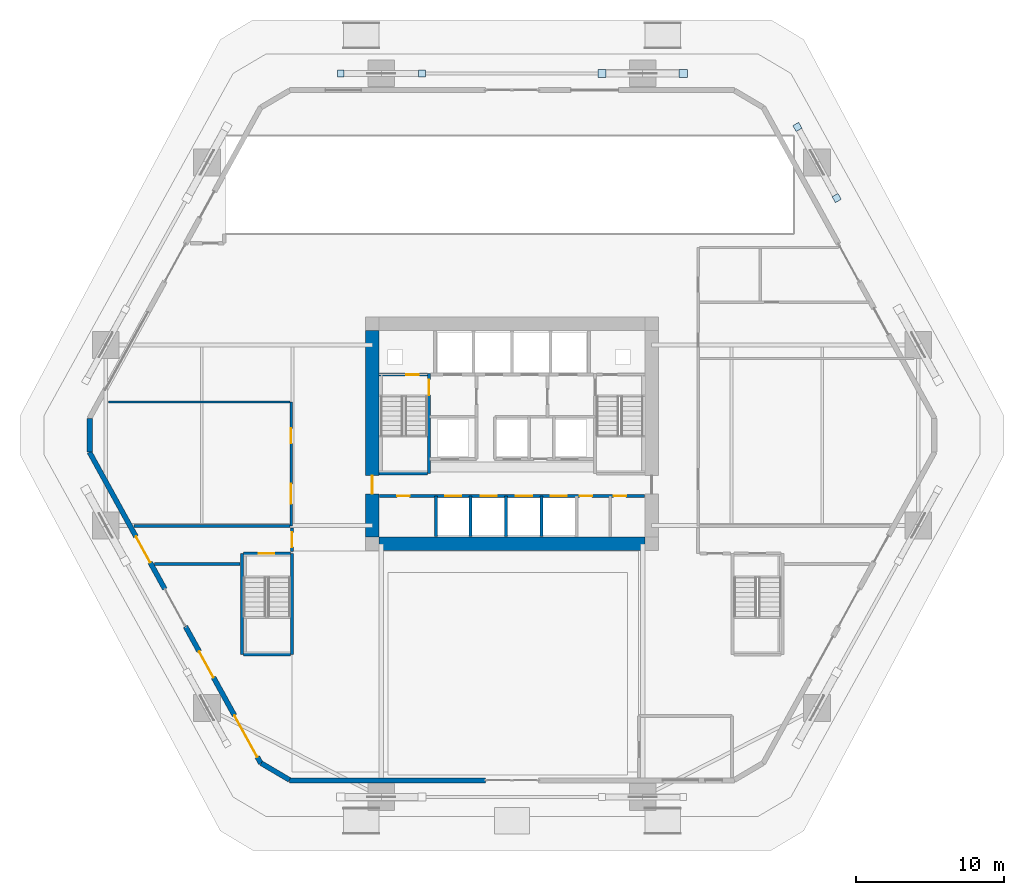
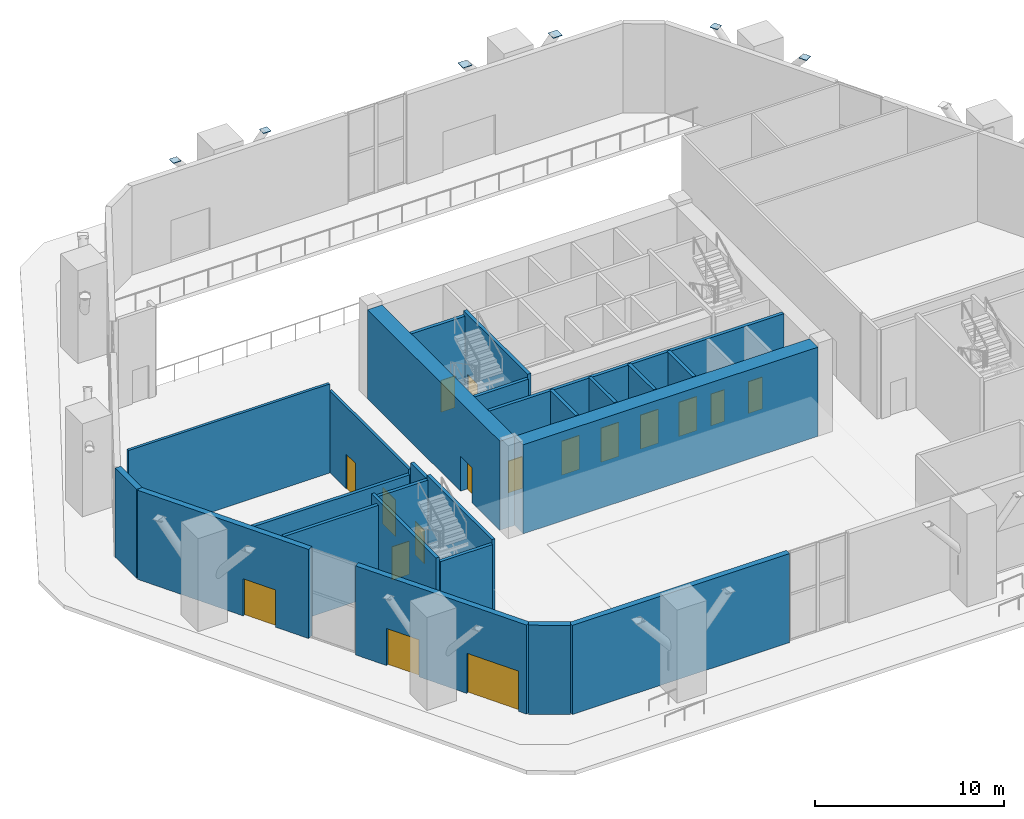
# One storey, part 15 of 22: 24 walls, 17 doors, 6 plates, 17 openings.
"""IFC4 building model written with IfcOpenShell, lengths in metres."""

from ifc_helpers import new_model, si_unit, direction, frame, frame_2d, origin, origin_2d, place, context, subcontext, project, spatial, rectangle, extrude, material, layer, layer_set, type_object, element, fill, save


model = new_model("IFC4")

# Units and contexts
model_context = context("Model", 3, precision=1e-05, world=origin(), true_north=direction((0.0, 1.0)))
body_context = subcontext(model_context, "Body", "Model", "MODEL_VIEW")
ifc_project = project(units=[si_unit("LENGTHUNIT", "METRE"), si_unit("AREAUNIT", "SQUARE_METRE"), si_unit("VOLUMEUNIT", "CUBIC_METRE"), si_unit("PLANEANGLEUNIT", "RADIAN"), si_unit("MASSUNIT", "GRAM", prefix="KILO")], contexts=[model_context])

# Site, building, storey
site_placement = place(None, origin())
site = spatial("IfcSite", under=ifc_project, at=site_placement, CompositionType="ELEMENT")
building_placement = place(site_placement, origin())
building = spatial("IfcBuilding", under=site, at=building_placement, Name="Cinnabar Lancet Tower", CompositionType="ELEMENT")
storey_placement = place(building_placement, origin())
storey = spatial("IfcBuildingStorey", under=building, at=storey_placement, Name="L00", CompositionType="ELEMENT", Elevation=0.0)

# Plates
ifc_material_1 = material(Name="Structural steel S460", Category="steel")
ifc_layer_1 = layer(ifc_material_1, 0.028076171875)
ifc_layer_set_1 = layer_set([ifc_layer_1], Name="Structural steel S460")
plate_type = type_object("IfcPlateType", Name="STR-PL-CAP-28E", PredefinedType="SHEET", material=ifc_layer_set_1)
for number, where, z_axis, x_axis, name in (
    (1, (54.373046875, 41.84912109375, 5.44482421875), (0.0, 0.0, 1.0), (0.483633778292, -0.875270454485, 0.0), "Hollow section end cap plate CP-YPS-06A-1"),
    (2, (51.712890625, 46.6630859375, 5.44482421875), (0.0, 0.0, 1.0), (-0.483633778292, 0.875270454485, 0.0), "Hollow section end cap plate CP-YPS-06B-1"),
):
    element("IfcPlate", number, at=place(storey_placement, frame(where, z_axis=z_axis, x_axis=x_axis)), inside=storey, type_object=plate_type, Name=name, PredefinedType="SHEET", context=body_context, shape_type="SweptSolid", body=[
        extrude(rectangle(XDim=0.4560546875, YDim=0.4560546875, at=origin_2d()), origin(), (0.0, 0.0, 1.0), 0.030029296875),
    ])
for number, where, z_axis, x_axis, name in (
    (3, (43.9951171875, 50.282958984375, 5.44482421875), (0.0, 0.0, 1.0), (1.0, 0.0, 0.0), "Hollow section end cap plate CP-YPS-07A-1"),
    (4, (38.4951171875, 50.282958984375, 5.44482421875), (0.0, 0.0, 1.0), (-1.0, 0.0, 0.0), "Hollow section end cap plate CP-YPS-07B-1"),
):
    element("IfcPlate", number, at=place(storey_placement, frame(where, z_axis=z_axis, x_axis=x_axis)), inside=storey, type_object=plate_type, Name=name, PredefinedType="SHEET", context=body_context, shape_type="SweptSolid", body=[
        extrude(rectangle(XDim=0.55810546875, YDim=0.55810546875, at=origin_2d()), origin(), (0.0, 0.0, 1.0), 0.030029296875),
    ])
for number, where, z_axis, x_axis, name in (
    (5, (26.304931640625, 50.282958984375, 5.44482421875), (0.0, 0.0, 1.0), (1.0, 0.0, 0.0), "Hollow section end cap plate CP-YPS-08A-1"),
    (6, (20.804931640625, 50.282958984375, 5.44482421875), (0.0, 0.0, 1.0), (-1.0, 0.0, 0.0), "Hollow section end cap plate CP-YPS-08B-1"),
):
    element("IfcPlate", number, at=place(storey_placement, frame(where, z_axis=z_axis, x_axis=x_axis)), inside=storey, type_object=plate_type, Name=name, PredefinedType="SHEET", context=body_context, shape_type="SweptSolid", body=[
        extrude(rectangle(XDim=0.4560546875, YDim=0.4560546875, at=origin_2d()), origin(), (0.0, 0.0, 1.0), 0.030029296875),
    ])

# Wall, openings, doors
ifc_material_2 = material(Name="Acoustic twin-stud gypsum partition", Category="gypsum")
ifc_layer_2 = layer(ifc_material_2, 0.159912109375)
ifc_layer_set_2 = layer_set([ifc_layer_2], Name="Acoustic twin-stud gypsum partition")
wall_type_1 = type_object("IfcWallType", Name="ARC-WL-CORR-160", PredefinedType="PARTITIONING", material=ifc_layer_set_2)
wall_1_placement = place(storey_placement, frame((17.449951171875, 19.64990234375, 0.0), z_axis=(0.0, 0.0, 1.0), x_axis=(0.0, 1.0, 0.0)))
wall_1 = element("IfcWall", 7, at=wall_1_placement, inside=storey, type_object=wall_type_1, Name="PW-L00-CAFE", PredefinedType="PARTITIONING", context=body_context, shape_type="SweptSolid", body=[
    extrude(rectangle(XDim=8.400146484375, YDim=0.159912109375, at=frame_2d((4.2001953125, 0.0))), origin(), (0.0, 0.0, 1.0), 5.282958984375),
])
opening_1_placement = place(wall_1_placement, frame((1.5, 0.0, 0.0)))
opening_1 = element("IfcOpeningElement", 8, at=opening_1_placement, cuts=wall_1, Name="Opening UD-02", PredefinedType="OPENING", context=body_context, shape_type="SweptSolid", body=[
    extrude(rectangle(XDim=1.35009765625, YDim=2.35009765625, at=frame_2d((0.675048828125, 1.175048828125))), frame((0.0, 0.08984375, 0.0), z_axis=(0.0, -1.0, 0.0), x_axis=(1.0, 0.0, 0.0)), (0.0, 0.0, 1.0), 0.179931640625),
])
opening_2_placement = place(wall_1_placement, frame((5.60009765625, 0.0, 0.0)))
opening_2 = element("IfcOpeningElement", 9, at=opening_2_placement, cuts=wall_1, Name="Opening UD-01", PredefinedType="OPENING", context=body_context, shape_type="SweptSolid", body=[
    extrude(rectangle(XDim=1.02001953125, YDim=2.25, at=frame_2d((0.510009765625, 1.125))), frame((0.0, 0.08984375, 0.0), z_axis=(0.0, -1.0, 0.0), x_axis=(1.0, 0.0, 0.0)), (0.0, 0.0, 1.0), 0.179931640625),
])
ifc_material_3 = material(Name="Solid timber fire-rated apartment entrance door", Category="wood")
door_type_1 = type_object("IfcDoorType", Name="ARC-DR-UNIT", OperationType="NOTDEFINED", PredefinedType="DOOR", material=ifc_material_3)
door_1_placement = place(opening_2_placement, origin())
door_1 = element("IfcDoor", 10, at=door_1_placement, inside=storey, type_object=door_type_1, Name="DR-L00-CAFE2", OperationType="SINGLE_SWING_RIGHT", OverallHeight=2.25, OverallWidth=1.02001953125, PredefinedType="DOOR", context=body_context, shape_type="SweptSolid", body=[
    extrude(rectangle(XDim=1.02001953125, YDim=2.25, at=frame_2d((0.510009765625, 1.125))), frame((0.0, 0.02490234375, 0.0), z_axis=(0.0, -1.0, 0.0), x_axis=(1.0, 0.0, 0.0)), (0.0, 0.0, 1.0), 0.050048828125),
])
fill(opening_2, door_1)
ifc_material_4 = material(Name="Double-leaf solid timber penthouse entrance door", Category="wood")
door_type_2 = type_object("IfcDoorType", Name="ARC-DR-UNIT-PH", OperationType="NOTDEFINED", PredefinedType="DOOR", material=ifc_material_4)
door_2_placement = place(opening_1_placement, origin())
door_2 = element("IfcDoor", 11, at=door_2_placement, inside=storey, type_object=door_type_2, Name="DR-L00-CAFE1", OperationType="SINGLE_SWING_LEFT", OverallHeight=2.35009765625, OverallWidth=1.35009765625, PredefinedType="DOOR", context=body_context, shape_type="SweptSolid", body=[
    extrude(rectangle(XDim=1.35009765625, YDim=2.35009765625, at=frame_2d((0.675048828125, 1.175048828125))), frame((0.0, 0.02490234375, 0.0), z_axis=(0.0, -1.0, 0.0), x_axis=(1.0, 0.0, 0.0)), (0.0, 0.0, 1.0), 0.050048828125),
])
fill(opening_1, door_2)

# Walls
wall_2_placement = place(storey_placement, frame((5.0849609375, 28.050048828125, 0.0), z_axis=(0.0, 0.0, 1.0), x_axis=(1.0, 0.0, 0.0)))
element("IfcWall", 12, at=wall_2_placement, inside=storey, type_object=wall_type_1, Name="PW-L00-CAFN", PredefinedType="PARTITIONING", context=body_context, shape_type="SweptSolid", body=[
    extrude(rectangle(XDim=12.280029296875, YDim=0.159912109375, at=frame_2d((6.14013671875, 0.0))), origin(), (0.0, 0.0, 1.0), 5.75),
])
ifc_material_5 = material(Name="Autoclaved aerated concrete blockwork", Category="masonry")
ifc_layer_3 = layer(ifc_material_5, 0.199951171875)
ifc_layer_set_3 = layer_set([ifc_layer_3], Name="Autoclaved aerated concrete blockwork")
wall_type_2 = type_object("IfcWallType", Name="ARC-WL-SHAFT-200", PredefinedType="PLUMBINGWALL", material=ifc_layer_set_3)
wall_3_placement = place(storey_placement, frame((23.405029296875, 23.199951171875, 0.0), z_axis=(0.0, 0.0, 1.0), x_axis=(1.0, 0.0, 0.0)))
element("IfcWall", 13, at=wall_3_placement, inside=storey, type_object=wall_type_2, Name="CW-ST1S-L00", PredefinedType="PLUMBINGWALL", context=body_context, shape_type="SweptSolid", body=[
    extrude(rectangle(XDim=3.27001953125, YDim=0.199951171875, at=frame_2d((1.635009765625, 0.0))), origin(), (0.0, 0.0, 1.0), 5.75),
])

# Wall, opening, door
wall_4_placement = place(storey_placement, frame((23.405029296875, 29.89990234375, 0.0), z_axis=(0.0, 0.0, 1.0), x_axis=(1.0, 0.0, 0.0)))
wall_4 = element("IfcWall", 14, at=wall_4_placement, inside=storey, type_object=wall_type_2, Name="CW-NSH-W-L00", PredefinedType="PLUMBINGWALL", context=body_context, shape_type="SweptSolid", body=[
    extrude(rectangle(XDim=3.27001953125, YDim=0.199951171875, at=frame_2d((1.635009765625, 0.0))), origin(), (0.0, 0.0, 1.0), 5.75),
])
opening_3_placement = place(wall_4_placement, frame((1.85009765625, 0.0, 0.0)))
opening_3 = element("IfcOpeningElement", 15, at=opening_3_placement, cuts=wall_4, Name="Opening PD-02", PredefinedType="OPENING", context=body_context, shape_type="SweptSolid", body=[
    extrude(rectangle(XDim=0.85009765625, YDim=2.050048828125, at=frame_2d((0.425048828125, 1.02490234375))), frame((0.0, 0.10986328125, 0.0), z_axis=(0.0, -1.0, 0.0), x_axis=(1.0, 0.0, 0.0)), (0.0, 0.0, 1.0), 0.219970703125),
])
ifc_material_6 = material(Name="Fire-rated steel riser access door", Category="steel")
door_type_3 = type_object("IfcDoorType", Name="ARC-DR-RISER", OperationType="NOTDEFINED", PredefinedType="DOOR", material=ifc_material_6)
door_3_placement = place(opening_3_placement, origin())
door_3 = element("IfcDoor", 16, at=door_3_placement, inside=storey, type_object=door_type_3, Name="L00 West Riser Access Door", OperationType="SINGLE_SWING_LEFT", OverallHeight=2.050048828125, OverallWidth=0.85009765625, PredefinedType="DOOR", context=body_context, shape_type="SweptSolid", body=[
    extrude(rectangle(XDim=0.85009765625, YDim=2.050048828125, at=frame_2d((0.425048828125, 1.02490234375))), frame((0.0, 0.02490234375, 0.0), z_axis=(0.0, -1.0, 0.0), x_axis=(1.0, 0.0, 0.0)), (0.0, 0.0, 1.0), 0.050048828125),
])
fill(opening_3, door_3)

# Wall, openings, doors
wall_5_placement = place(storey_placement, frame((23.419921875, 21.679931640625, 0.0), z_axis=(0.0, 0.0, 1.0), x_axis=(1.0, 0.0, 0.0)))
wall_5 = element("IfcWall", 17, at=wall_5_placement, inside=storey, type_object=wall_type_2, Name="CW-SBANDN-L00", PredefinedType="PLUMBINGWALL", context=body_context, shape_type="SweptSolid", body=[
    extrude(rectangle(XDim=17.9599609375, YDim=0.199951171875, at=frame_2d((8.97998046875, 0.0))), origin(), (0.0, 0.0, 1.0), 5.75),
])
opening_4_placement = place(wall_5_placement, frame((4.449951171875, 0.0, 0.0)))
opening_4 = element("IfcOpeningElement", 18, at=opening_4_placement, cuts=wall_5, Name="Opening LD-01", PredefinedType="OPENING", context=body_context, shape_type="SweptSolid", body=[
    extrude(rectangle(XDim=1.10009765625, YDim=2.199951171875, at=frame_2d((0.550048828125, 1.10009765625))), frame((0.0, 0.10986328125, 0.0), z_axis=(0.0, -1.0, 0.0), x_axis=(1.0, 0.0, 0.0)), (0.0, 0.0, 1.0), 0.219970703125),
])
opening_5_placement = place(wall_5_placement, frame((6.85009765625, 0.0, 0.0)))
opening_5 = element("IfcOpeningElement", 19, at=opening_5_placement, cuts=wall_5, Name="Opening LD-01", PredefinedType="OPENING", context=body_context, shape_type="SweptSolid", body=[
    extrude(rectangle(XDim=1.10009765625, YDim=2.199951171875, at=frame_2d((0.550048828125, 1.10009765625))), frame((0.0, 0.10986328125, 0.0), z_axis=(0.0, -1.0, 0.0), x_axis=(1.0, 0.0, 0.0)), (0.0, 0.0, 1.0), 0.219970703125),
])
opening_6_placement = place(wall_5_placement, frame((9.25, 0.0, 0.0)))
opening_6 = element("IfcOpeningElement", 20, at=opening_6_placement, cuts=wall_5, Name="Opening LD-01", PredefinedType="OPENING", context=body_context, shape_type="SweptSolid", body=[
    extrude(rectangle(XDim=1.10009765625, YDim=2.199951171875, at=frame_2d((0.550048828125, 1.10009765625))), frame((0.0, 0.10986328125, 0.0), z_axis=(0.0, -1.0, 0.0), x_axis=(1.0, 0.0, 0.0)), (0.0, 0.0, 1.0), 0.219970703125),
])
opening_7_placement = place(wall_5_placement, frame((11.60009765625, 0.0, 0.0)))
opening_7 = element("IfcOpeningElement", 21, at=opening_7_placement, cuts=wall_5, Name="Opening LD-01", PredefinedType="OPENING", context=body_context, shape_type="SweptSolid", body=[
    extrude(rectangle(XDim=1.10009765625, YDim=2.199951171875, at=frame_2d((0.550048828125, 1.10009765625))), frame((0.0, 0.10986328125, 0.0), z_axis=(0.0, -1.0, 0.0), x_axis=(1.0, 0.0, 0.0)), (0.0, 0.0, 1.0), 0.219970703125),
])
opening_8_placement = place(wall_5_placement, frame((1.199951171875, 0.0, 0.0)))
opening_8 = element("IfcOpeningElement", 22, at=opening_8_placement, cuts=wall_5, Name="Opening PD-02", PredefinedType="OPENING", context=body_context, shape_type="SweptSolid", body=[
    extrude(rectangle(XDim=0.85009765625, YDim=2.050048828125, at=frame_2d((0.425048828125, 1.02490234375))), frame((0.0, 0.10986328125, 0.0), z_axis=(0.0, -1.0, 0.0), x_axis=(1.0, 0.0, 0.0)), (0.0, 0.0, 1.0), 0.219970703125),
])
opening_9_placement = place(wall_5_placement, frame((13.550048828125, 0.0, 0.0)))
opening_9 = element("IfcOpeningElement", 23, at=opening_9_placement, cuts=wall_5, Name="Opening PD-02", PredefinedType="OPENING", context=body_context, shape_type="SweptSolid", body=[
    extrude(rectangle(XDim=0.85009765625, YDim=2.050048828125, at=frame_2d((0.425048828125, 1.02490234375))), frame((0.0, 0.10986328125, 0.0), z_axis=(0.0, -1.0, 0.0), x_axis=(1.0, 0.0, 0.0)), (0.0, 0.0, 1.0), 0.219970703125),
])
opening_10_placement = place(wall_5_placement, frame((15.85009765625, 0.0, 0.0)))
opening_10 = element("IfcOpeningElement", 24, at=opening_10_placement, cuts=wall_5, Name="Opening PD-02", PredefinedType="OPENING", context=body_context, shape_type="SweptSolid", body=[
    extrude(rectangle(XDim=0.85009765625, YDim=2.050048828125, at=frame_2d((0.425048828125, 1.02490234375))), frame((0.0, 0.10986328125, 0.0), z_axis=(0.0, -1.0, 0.0), x_axis=(1.0, 0.0, 0.0)), (0.0, 0.0, 1.0), 0.219970703125),
])
ifc_material_7 = material(Name="Brushed stainless steel sliding lift door", Category="steel")
door_type_4 = type_object("IfcDoorType", Name="ARC-DR-LD-PASS", OperationType="NOTDEFINED", PredefinedType="DOOR", material=ifc_material_7)
door_4_placement = place(opening_4_placement, origin())
door_4 = element("IfcDoor", 25, at=door_4_placement, inside=storey, type_object=door_type_4, Name="L00 Lift PL-1 Landing Door", OperationType="DOUBLE_DOOR_SLIDING", OverallHeight=2.199951171875, OverallWidth=1.10009765625, PredefinedType="DOOR", context=body_context, shape_type="SweptSolid", body=[
    extrude(rectangle(XDim=1.10009765625, YDim=2.199951171875, at=frame_2d((0.550048828125, 1.10009765625))), frame((0.0, 0.02490234375, 0.0), z_axis=(0.0, -1.0, 0.0), x_axis=(1.0, 0.0, 0.0)), (0.0, 0.0, 1.0), 0.050048828125),
])
fill(opening_4, door_4)
door_5_placement = place(opening_5_placement, origin())
door_5 = element("IfcDoor", 26, at=door_5_placement, inside=storey, type_object=door_type_4, Name="L00 Lift PL-2 Landing Door", OperationType="DOUBLE_DOOR_SLIDING", OverallHeight=2.199951171875, OverallWidth=1.10009765625, PredefinedType="DOOR", context=body_context, shape_type="SweptSolid", body=[
    extrude(rectangle(XDim=1.10009765625, YDim=2.199951171875, at=frame_2d((0.550048828125, 1.10009765625))), frame((0.0, 0.02490234375, 0.0), z_axis=(0.0, -1.0, 0.0), x_axis=(1.0, 0.0, 0.0)), (0.0, 0.0, 1.0), 0.050048828125),
])
fill(opening_5, door_5)
door_6_placement = place(opening_6_placement, origin())
door_6 = element("IfcDoor", 27, at=door_6_placement, inside=storey, type_object=door_type_4, Name="L00 Lift PL-3 Landing Door", OperationType="DOUBLE_DOOR_SLIDING", OverallHeight=2.199951171875, OverallWidth=1.10009765625, PredefinedType="DOOR", context=body_context, shape_type="SweptSolid", body=[
    extrude(rectangle(XDim=1.10009765625, YDim=2.199951171875, at=frame_2d((0.550048828125, 1.10009765625))), frame((0.0, 0.02490234375, 0.0), z_axis=(0.0, -1.0, 0.0), x_axis=(1.0, 0.0, 0.0)), (0.0, 0.0, 1.0), 0.050048828125),
])
fill(opening_6, door_6)
door_7_placement = place(opening_7_placement, origin())
door_7 = element("IfcDoor", 28, at=door_7_placement, inside=storey, type_object=door_type_4, Name="L00 Lift PL-4 Landing Door", OperationType="DOUBLE_DOOR_SLIDING", OverallHeight=2.199951171875, OverallWidth=1.10009765625, PredefinedType="DOOR", context=body_context, shape_type="SweptSolid", body=[
    extrude(rectangle(XDim=1.10009765625, YDim=2.199951171875, at=frame_2d((0.550048828125, 1.10009765625))), frame((0.0, 0.02490234375, 0.0), z_axis=(0.0, -1.0, 0.0), x_axis=(1.0, 0.0, 0.0)), (0.0, 0.0, 1.0), 0.050048828125),
])
fill(opening_7, door_7)
door_8_placement = place(opening_8_placement, origin())
door_8 = element("IfcDoor", 29, at=door_8_placement, inside=storey, type_object=door_type_3, Name="DR-L00-SW1", OperationType="SINGLE_SWING_LEFT", OverallHeight=2.050048828125, OverallWidth=0.85009765625, PredefinedType="DOOR", context=body_context, shape_type="SweptSolid", body=[
    extrude(rectangle(XDim=0.85009765625, YDim=2.050048828125, at=frame_2d((0.425048828125, 1.02490234375))), frame((0.0, 0.02490234375, 0.0), z_axis=(0.0, -1.0, 0.0), x_axis=(1.0, 0.0, 0.0)), (0.0, 0.0, 1.0), 0.050048828125),
])
fill(opening_8, door_8)
door_9_placement = place(opening_9_placement, origin())
door_9 = element("IfcDoor", 30, at=door_9_placement, inside=storey, type_object=door_type_3, Name="DR-L00-SE1", OperationType="SINGLE_SWING_LEFT", OverallHeight=2.050048828125, OverallWidth=0.85009765625, PredefinedType="DOOR", context=body_context, shape_type="SweptSolid", body=[
    extrude(rectangle(XDim=0.85009765625, YDim=2.050048828125, at=frame_2d((0.425048828125, 1.02490234375))), frame((0.0, 0.02490234375, 0.0), z_axis=(0.0, -1.0, 0.0), x_axis=(1.0, 0.0, 0.0)), (0.0, 0.0, 1.0), 0.050048828125),
])
fill(opening_9, door_9)
door_10_placement = place(opening_10_placement, origin())
door_10 = element("IfcDoor", 31, at=door_10_placement, inside=storey, type_object=door_type_3, Name="DR-L00-SE2", OperationType="SINGLE_SWING_RIGHT", OverallHeight=2.050048828125, OverallWidth=0.85009765625, PredefinedType="DOOR", context=body_context, shape_type="SweptSolid", body=[
    extrude(rectangle(XDim=0.85009765625, YDim=2.050048828125, at=frame_2d((0.425048828125, 1.02490234375))), frame((0.0, 0.02490234375, 0.0), z_axis=(0.0, -1.0, 0.0), x_axis=(1.0, 0.0, 0.0)), (0.0, 0.0, 1.0), 0.050048828125),
])
fill(opening_10, door_10)

# Walls
for number, where, z_axis, x_axis, name in (
    (32, (27.25, 18.949951171875, 0.0), (0.0, 0.0, 1.0), (0.0, 1.0, 0.0), "CW-SB-2725-L00"),
    (33, (29.60009765625, 18.949951171875, 0.0), (0.0, 0.0, 1.0), (0.0, 1.0, 0.0), "CW-SB-2960-L00"),
    (34, (32.0, 18.949951171875, 0.0), (0.0, 0.0, 1.0), (0.0, 1.0, 0.0), "CW-SB-3200-L00"),
    (35, (34.39990234375, 18.949951171875, 0.0), (0.0, 0.0, 1.0), (0.0, 1.0, 0.0), "CW-SB-3440-L00"),
):
    element("IfcWall", number, at=place(storey_placement, frame(where, z_axis=z_axis, x_axis=x_axis)), inside=storey, type_object=wall_type_2, Name=name, PredefinedType="PLUMBINGWALL", context=body_context, shape_type="SweptSolid", body=[
        extrude(rectangle(XDim=2.72998046875, YDim=0.199951171875, at=frame_2d((1.364990234375, 0.0))), origin(), (0.0, 0.0, 1.0), 5.75),
    ])
wall_6_placement = place(storey_placement, frame((14.22509765625, 10.949951171875, 0.0), z_axis=(0.0, 0.0, 1.0), x_axis=(1.0, 0.0, 0.0)))
element("IfcWall", 36, at=wall_6_placement, inside=storey, type_object=wall_type_2, Name="PW-ST3S-L00", PredefinedType="PLUMBINGWALL", context=body_context, shape_type="SweptSolid", body=[
    extrude(rectangle(XDim=3.18994140625, YDim=0.199951171875, at=frame_2d((1.594970703125, 0.0))), origin(), (0.0, 0.0, 1.0), 5.75),
])

# Wall, opening, door
wall_7_placement = place(storey_placement, frame((14.22509765625, 17.800048828125, 0.0), z_axis=(0.0, 0.0, 1.0), x_axis=(1.0, 0.0, 0.0)))
wall_7 = element("IfcWall", 37, at=wall_7_placement, inside=storey, type_object=wall_type_2, Name="PW-ST3N-L00", PredefinedType="PLUMBINGWALL", context=body_context, shape_type="SweptSolid", body=[
    extrude(rectangle(XDim=3.18994140625, YDim=0.199951171875, at=frame_2d((1.594970703125, 0.0))), origin(), (0.0, 0.0, 1.0), 5.75),
])
opening_11_placement = place(wall_7_placement, frame((1.050048828125, 0.0, 0.0)))
opening_11 = element("IfcOpeningElement", 38, at=opening_11_placement, cuts=wall_7, Name="Opening SD-01", PredefinedType="OPENING", context=body_context, shape_type="SweptSolid", body=[
    extrude(rectangle(XDim=1.050048828125, YDim=2.14990234375, at=frame_2d((0.52490234375, 1.074951171875))), frame((0.0, 0.10986328125, 0.0), z_axis=(0.0, -1.0, 0.0), x_axis=(1.0, 0.0, 0.0)), (0.0, 0.0, 1.0), 0.219970703125),
])
ifc_material_8 = material(Name="Fire-rated steel stair exit door", Category="steel")
door_type_5 = type_object("IfcDoorType", Name="ARC-DR-STAIR", OperationType="NOTDEFINED", PredefinedType="DOOR", material=ifc_material_8)
door_11_placement = place(opening_11_placement, origin())
door_11 = element("IfcDoor", 39, at=door_11_placement, inside=storey, type_object=door_type_5, Name="L00 Podium Stair ST-3 Fire Door", OperationType="SINGLE_SWING_LEFT", OverallHeight=2.14990234375, OverallWidth=1.050048828125, PredefinedType="DOOR", context=body_context, shape_type="SweptSolid", body=[
    extrude(rectangle(XDim=1.050048828125, YDim=2.14990234375, at=frame_2d((0.52490234375, 1.074951171875))), frame((0.0, 0.02490234375, 0.0), z_axis=(0.0, -1.0, 0.0), x_axis=(1.0, 0.0, 0.0)), (0.0, 0.0, 1.0), 0.050048828125),
])
fill(opening_11, door_11)

# Walls
wall_8_placement = place(storey_placement, frame((6.820068359375, 19.64990234375, 0.0), z_axis=(0.0, 0.0, 1.0), x_axis=(1.0, 0.0, 0.0)))
element("IfcWall", 40, at=wall_8_placement, inside=storey, type_object=wall_type_2, Name="PW-L00-CAFS", PredefinedType="PLUMBINGWALL", context=body_context, shape_type="SweptSolid", body=[
    extrude(rectangle(XDim=10.544921875, YDim=0.199951171875, at=frame_2d((5.2724609375, 0.0))), origin(), (0.0, 0.0, 1.0), 4.97802734375),
])
wall_9_placement = place(storey_placement, frame((8.219970703125, 17.10009765625, 0.0), z_axis=(0.0, 0.0, 1.0), x_axis=(1.0, 0.0, 0.0)))
element("IfcWall", 41, at=wall_9_placement, inside=storey, type_object=wall_type_2, Name="PW-L00-EX3S", PredefinedType="PLUMBINGWALL", context=body_context, shape_type="SweptSolid", body=[
    extrude(rectangle(XDim=5.780029296875, YDim=0.199951171875, at=frame_2d((2.89013671875, 0.0))), origin(), (0.0, 0.0, 1.0), 5.75),
])

# Wall, opening, door
wall_10_placement = place(storey_placement, frame((17.52001953125, 17.919921875, 0.0), z_axis=(0.0, 0.0, 1.0), x_axis=(0.0, 1.0, 0.0)))
wall_10 = element("IfcWall", 42, at=wall_10_placement, inside=storey, type_object=wall_type_2, Name="PW-L00-EX3E", PredefinedType="PLUMBINGWALL", context=body_context, shape_type="SweptSolid", body=[
    extrude(rectangle(XDim=1.610107421875, YDim=0.199951171875, at=frame_2d((0.80517578125, 0.0))), origin(), (0.0, 0.0, 1.0), 5.75),
])
opening_12_placement = place(wall_10_placement, frame((0.300048828125, 0.0, 0.0)))
opening_12 = element("IfcOpeningElement", 43, at=opening_12_placement, cuts=wall_10, Name="Opening FD-01", PredefinedType="OPENING", context=body_context, shape_type="SweptSolid", body=[
    extrude(rectangle(XDim=1.0, YDim=2.14990234375, at=frame_2d((0.5, 1.074951171875))), frame((0.0, 0.10986328125, 0.0), z_axis=(0.0, -1.0, 0.0), x_axis=(1.0, 0.0, 0.0)), (0.0, 0.0, 1.0), 0.219970703125),
])
ifc_material_9 = material(Name="Fire-rated timber-core lobby door", Category="wood")
door_type_6 = type_object("IfcDoorType", Name="ARC-DR-FFAL", OperationType="NOTDEFINED", PredefinedType="DOOR", material=ifc_material_9)
door_12_placement = place(opening_12_placement, origin())
door_12 = element("IfcDoor", 44, at=door_12_placement, inside=storey, type_object=door_type_6, Name="L00 ST-3 Protected Exit Corridor Fire Door", OperationType="SINGLE_SWING_LEFT", OverallHeight=2.14990234375, OverallWidth=1.0, PredefinedType="DOOR", context=body_context, shape_type="SweptSolid", body=[
    extrude(rectangle(XDim=1.0, YDim=2.14990234375, at=frame_2d((0.5, 1.074951171875))), frame((0.0, 0.02490234375, 0.0), z_axis=(0.0, -1.0, 0.0), x_axis=(1.0, 0.0, 0.0)), (0.0, 0.0, 1.0), 0.050048828125),
])
fill(opening_12, door_12)

# Walls
ifc_material_10 = material(Name="Cinnabar red clay brick", Category="masonry")
ifc_layer_4 = layer(ifc_material_10, 0.340087890625)
ifc_layer_set_4 = layer_set([ifc_layer_4], Name="Cinnabar red clay brick")
wall_type_3 = type_object("IfcWallType", Name="ENV-WL-BRK-RED-340", PredefinedType="STANDARD", material=ifc_layer_set_4)
wall_11_placement = place(storey_placement, frame((17.342041015625, 2.47509765625, 0.0), z_axis=(0.0, 0.0, 1.0), x_axis=(-0.860917796935, 0.508744087848, 0.0)))
element("IfcWall", 45, at=wall_11_placement, inside=storey, type_object=wall_type_3, Name="L00 Chamfered Corner Brick Pier 1.1", PredefinedType="STANDARD", context=body_context, shape_type="SweptSolid", body=[
    extrude(rectangle(XDim=2.2265625, YDim=0.340087890625, at=frame_2d((1.11328125, 0.0))), origin(), (0.0, 0.0, 1.0), 5.75),
])
wall_12_placement = place(storey_placement, frame((3.825927734375, 24.6650390625, 0.0), z_axis=(0.0, 0.0, 1.0), x_axis=(0.0, 1.0, 0.0)))
element("IfcWall", 46, at=wall_12_placement, inside=storey, type_object=wall_type_3, Name="L00 Chamfered Corner Brick Pier 6.1", PredefinedType="STANDARD", context=body_context, shape_type="SweptSolid", body=[
    extrude(rectangle(XDim=2.27001953125, YDim=0.340087890625, at=frame_2d((1.135009765625, 0.0))), origin(), (0.0, 0.0, 1.0), 5.75),
])
wall_13_placement = place(storey_placement, frame((30.593017578125, 2.449951171875, 0.0), z_axis=(0.0, 0.0, 1.0), x_axis=(-1.0, 0.0, 0.0)))
element("IfcWall", 47, at=wall_13_placement, inside=storey, type_object=wall_type_3, Name="L00 Face 1 Right Brick Wall", PredefinedType="STANDARD", context=body_context, shape_type="SweptSolid", body=[
    extrude(rectangle(XDim=13.255126953125, YDim=0.340087890625, at=frame_2d((6.62744140625, 0.0))), origin(), (0.0, 0.0, 1.0), 5.75),
])

# Wall, openings, doors
wall_14_placement = place(storey_placement, frame((15.405029296875, 3.592041015625, 0.0), z_axis=(0.0, 0.0, 1.0), x_axis=(-0.482427040838, 0.875936156502, 0.0)))
wall_14 = element("IfcWall", 48, at=wall_14_placement, inside=storey, type_object=wall_type_3, Name="L00 Face 6 Left Brick Wall", PredefinedType="STANDARD", context=body_context, shape_type="SweptSolid", body=[
    extrude(rectangle(XDim=10.581787109375, YDim=0.340087890625, at=frame_2d((5.291015625, 0.0))), origin(), (0.0, 0.0, 1.0), 5.75),
])
opening_13_placement = place(wall_14_placement, frame((6.64990234375, 0.0, 0.0)))
opening_13 = element("IfcOpeningElement", 49, at=opening_13_placement, cuts=wall_14, Name="Opening ED-01", PredefinedType="OPENING", context=body_context, shape_type="SweptSolid", body=[
    extrude(rectangle(XDim=2.0, YDim=2.39990234375, at=frame_2d((1.0, 1.199951171875))), frame((0.0, 0.179931640625, 0.0), z_axis=(0.0, -1.0, 0.0), x_axis=(1.0, 0.0, 0.0)), (0.0, 0.0, 1.0), 0.360107421875),
])
opening_14_placement = place(wall_14_placement, frame((0.5, 0.0, 0.0)))
opening_14 = element("IfcOpeningElement", 50, at=opening_14_placement, cuts=wall_14, Name="Opening SG-02", PredefinedType="OPENING", context=body_context, shape_type="SweptSolid", body=[
    extrude(rectangle(XDim=3.199951171875, YDim=2.60009765625, at=frame_2d((1.60009765625, 1.300048828125))), frame((0.0, 0.179931640625, 0.0), z_axis=(0.0, -1.0, 0.0), x_axis=(1.0, 0.0, 0.0)), (0.0, 0.0, 1.0), 0.360107421875),
])
ifc_material_11 = material(Name="Outward-swinging thermally broken aluminium final exit double door", Category="aluminium")
door_type_7 = type_object("IfcDoorType", Name="ARC-DR-EXIT-EXT", OperationType="NOTDEFINED", PredefinedType="DOOR", material=ifc_material_11)
door_13_placement = place(opening_13_placement, origin())
door_13 = element("IfcDoor", 51, at=door_13_placement, inside=storey, type_object=door_type_7, Name="L00 Face 6 Outward Final Exit Door", OperationType="DOUBLE_DOOR_SINGLE_SWING", OverallHeight=2.39990234375, OverallWidth=2.0, PredefinedType="DOOR", context=body_context, shape_type="SweptSolid", body=[
    extrude(rectangle(XDim=2.0, YDim=2.39990234375, at=frame_2d((1.0, 1.199951171875))), frame((0.0, 0.02490234375, 0.0), z_axis=(0.0, -1.0, 0.0), x_axis=(1.0, 0.0, 0.0)), (0.0, 0.0, 1.0), 0.050048828125),
])
fill(opening_13, door_13)
ifc_material_12 = material(Name="Galvanized steel loading and plant service gate", Category="steel")
door_type_8 = type_object("IfcDoorType", Name="ARC-DR-SRV-GATE", OperationType="NOTDEFINED", PredefinedType="GATE", material=ifc_material_12)
door_14_placement = place(opening_14_placement, origin())
door_14 = element("IfcDoor", 52, at=door_14_placement, inside=storey, type_object=door_type_8, Name="L00 Face 6 Service Gate", OperationType="DOUBLE_DOOR_SINGLE_SWING", OverallHeight=2.60009765625, OverallWidth=3.199951171875, PredefinedType="GATE", context=body_context, shape_type="SweptSolid", body=[
    extrude(rectangle(XDim=3.199951171875, YDim=2.60009765625, at=frame_2d((1.60009765625, 1.300048828125))), frame((0.0, 0.02490234375, 0.0), z_axis=(0.0, -1.0, 0.0), x_axis=(1.0, 0.0, 0.0)), (0.0, 0.0, 1.0), 0.050048828125),
])
fill(opening_14, door_14)

# Wall, opening, door
wall_15_placement = place(storey_placement, frame((8.907958984375, 15.388916015625, 0.0), z_axis=(0.0, 0.0, 1.0), x_axis=(-0.48235622808, 0.875975153319, 0.0)))
wall_15 = element("IfcWall", 53, at=wall_15_placement, inside=storey, type_object=wall_type_3, Name="L00 Face 6 Right Brick Wall", PredefinedType="STANDARD", context=body_context, shape_type="SweptSolid", body=[
    extrude(rectangle(XDim=10.581298828125, YDim=0.340087890625, at=frame_2d((5.29052734375, 0.0))), origin(), (0.0, 0.0, 1.0), 5.75),
])
opening_15_placement = place(wall_15_placement, frame((2.050048828125, 0.0, 0.0)))
opening_15 = element("IfcOpeningElement", 54, at=opening_15_placement, cuts=wall_15, Name="Opening ED-01", PredefinedType="OPENING", context=body_context, shape_type="SweptSolid", body=[
    extrude(rectangle(XDim=2.0, YDim=2.39990234375, at=frame_2d((1.0, 1.199951171875))), frame((0.0, 0.179931640625, 0.0), z_axis=(0.0, -1.0, 0.0), x_axis=(1.0, 0.0, 0.0)), (0.0, 0.0, 1.0), 0.360107421875),
])
door_15_placement = place(opening_15_placement, origin())
door_15 = element("IfcDoor", 55, at=door_15_placement, inside=storey, type_object=door_type_7, Name="L00 Stair ST-3 Protected Passageway Final Exit Door", OperationType="DOUBLE_DOOR_SINGLE_SWING", OverallHeight=2.39990234375, OverallWidth=2.0, PredefinedType="DOOR", context=body_context, shape_type="SweptSolid", body=[
    extrude(rectangle(XDim=2.0, YDim=2.39990234375, at=frame_2d((1.0, 1.199951171875))), frame((0.0, 0.02490234375, 0.0), z_axis=(0.0, -1.0, 0.0), x_axis=(1.0, 0.0, 0.0)), (0.0, 0.0, 1.0), 0.050048828125),
])
fill(opening_15, door_15)

# Wall
ifc_material_13 = material(Name="Concrete C80/95", Category="concrete")
ifc_layer_5 = layer(ifc_material_13, 0.89990234375)
ifc_layer_set_5 = layer_set([ifc_layer_5], Name="Concrete C80/95")
wall_type_4 = type_object("IfcWallType", Name="STR-WL-CORE-900", PredefinedType="SHEAR", material=ifc_layer_set_5)
wall_16_placement = place(storey_placement, frame((23.39990234375, 18.449951171875, 0.0), z_axis=(0.0, 0.0, 1.0), x_axis=(1.0, 0.0, 0.0)))
element("IfcWall", 56, at=wall_16_placement, inside=storey, type_object=wall_type_4, Name="L00 Core Shear Wall S", PredefinedType="SHEAR", context=body_context, shape_type="SweptSolid", body=[
    extrude(rectangle(XDim=18.0, YDim=0.89990234375, at=frame_2d((9.0, 0.0))), origin(), (0.0, 0.0, 1.0), 5.75),
])

# Wall, opening, door
wall_17_placement = place(storey_placement, frame((22.949951171875, 18.89990234375, 0.0), z_axis=(0.0, 0.0, 1.0), x_axis=(0.0, 1.0, 0.0)))
wall_17 = element("IfcWall", 57, at=wall_17_placement, inside=storey, type_object=wall_type_4, Name="L00 Core Shear Wall W", PredefinedType="SHEAR", context=body_context, shape_type="SweptSolid", body=[
    extrude(rectangle(XDim=14.0, YDim=0.89990234375, at=frame_2d((7.0, 0.0))), origin(), (0.0, 0.0, 1.0), 5.75),
])
opening_16_placement = place(wall_17_placement, frame((2.93994140625, 0.0, 0.0)))
opening_16 = element("IfcOpeningElement", 58, at=opening_16_placement, cuts=wall_17, Name="Opening FD-02", PredefinedType="OPENING", context=body_context, shape_type="SweptSolid", body=[
    extrude(rectangle(XDim=1.219970703125, YDim=2.25, at=frame_2d((0.60986328125, 1.125))), frame((0.0, 0.4599609375, 0.0), z_axis=(0.0, -1.0, 0.0), x_axis=(1.0, 0.0, 0.0)), (0.0, 0.0, 1.0), 0.919921875),
])
ifc_material_14 = material(Name="Fire-rated double-vision core portal door", Category="wood")
door_type_9 = type_object("IfcDoorType", Name="ARC-DR-CPORT", OperationType="NOTDEFINED", PredefinedType="DOOR", material=ifc_material_14)
door_16_placement = place(opening_16_placement, origin())
door_16 = element("IfcDoor", 59, at=door_16_placement, inside=storey, type_object=door_type_9, Name="L00 West Core Lobby Fire Door", OperationType="SINGLE_SWING_RIGHT", OverallHeight=2.25, OverallWidth=1.219970703125, PredefinedType="DOOR", context=body_context, shape_type="SweptSolid", body=[
    extrude(rectangle(XDim=1.219970703125, YDim=2.25, at=frame_2d((0.60986328125, 1.125))), frame((0.0, 0.02490234375, 0.0), z_axis=(0.0, -1.0, 0.0), x_axis=(1.0, 0.0, 0.0)), (0.0, 0.0, 1.0), 0.050048828125),
])
fill(opening_16, door_16)

ifc_material_15 = material(Name="Concrete C50/60", Category="concrete")
ifc_layer_6 = layer(ifc_material_15, 0.199951171875)
ifc_layer_set_6 = layer_set([ifc_layer_6], Name="Concrete C50/60")
wall_type_5 = type_object("IfcWallType", Name="STR-WL-STAIR-200", PredefinedType="SHEAR", material=ifc_layer_set_6)
wall_18_placement = place(storey_placement, frame((26.780029296875, 23.199951171875, 0.0), z_axis=(0.0, 0.0, 1.0), x_axis=(0.0, 1.0, 0.0)))
wall_18 = element("IfcWall", 60, at=wall_18_placement, inside=storey, type_object=wall_type_5, Name="L00 Stair ST-1 Structural Enclosure Wall", PredefinedType="SHEAR", context=body_context, shape_type="SweptSolid", body=[
    extrude(rectangle(XDim=6.780029296875, YDim=0.199951171875, at=frame_2d((3.39013671875, 0.0))), origin(), (0.0, 0.0, 1.0), 6.0),
])
opening_17_placement = place(wall_18_placement, frame((5.320068359375, 0.0, 0.0)))
opening_17 = element("IfcOpeningElement", 61, at=opening_17_placement, cuts=wall_18, Name="Opening SD-01", PredefinedType="OPENING", context=body_context, shape_type="SweptSolid", body=[
    extrude(rectangle(XDim=1.050048828125, YDim=2.14990234375, at=frame_2d((0.52490234375, 1.074951171875))), frame((0.0, 0.10986328125, 0.0), z_axis=(0.0, -1.0, 0.0), x_axis=(1.0, 0.0, 0.0)), (0.0, 0.0, 1.0), 0.219970703125),
])
door_17_placement = place(opening_17_placement, origin())
door_17 = element("IfcDoor", 62, at=door_17_placement, inside=storey, type_object=door_type_5, Name="L00 Stair ST-1 Fire Door", OperationType="SINGLE_SWING_LEFT", OverallHeight=2.14990234375, OverallWidth=1.050048828125, PredefinedType="DOOR", context=body_context, shape_type="SweptSolid", body=[
    extrude(rectangle(XDim=1.050048828125, YDim=2.14990234375, at=frame_2d((0.52490234375, 1.074951171875))), frame((0.0, 0.02490234375, 0.0), z_axis=(0.0, -1.0, 0.0), x_axis=(1.0, 0.0, 0.0)), (0.0, 0.0, 1.0), 0.050048828125),
])
fill(opening_17, door_17)

# Walls
for number, where, z_axis, x_axis, name in (
    (63, (14.1201171875, 10.949951171875, 0.0), (0.0, 0.0, 1.0), (0.0, 1.0, 0.0), "L00 Stair ST3 West Structural Wall"),
    (64, (17.52001953125, 10.949951171875, 0.0), (0.0, 0.0, 1.0), (0.0, 1.0, 0.0), "L00 Stair ST3 East Structural Wall"),
):
    element("IfcWall", number, at=place(storey_placement, frame(where, z_axis=z_axis, x_axis=x_axis)), inside=storey, type_object=wall_type_5, Name=name, PredefinedType="SHEAR", context=body_context, shape_type="SweptSolid", body=[
        extrude(rectangle(XDim=6.85009765625, YDim=0.199951171875, at=frame_2d((3.425048828125, 0.0))), origin(), (0.0, 0.0, 1.0), 6.0),
    ])

save(model, "model.ifc")
